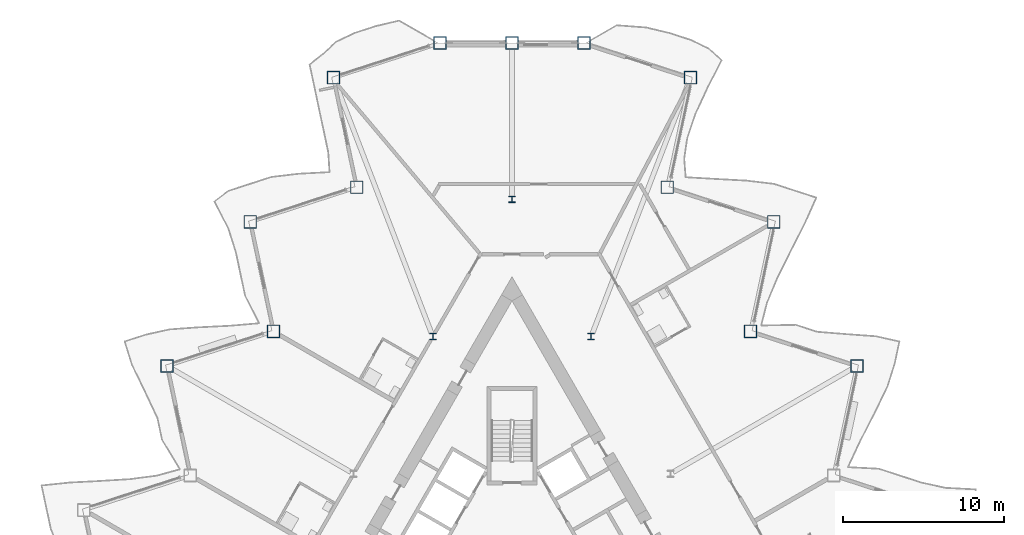
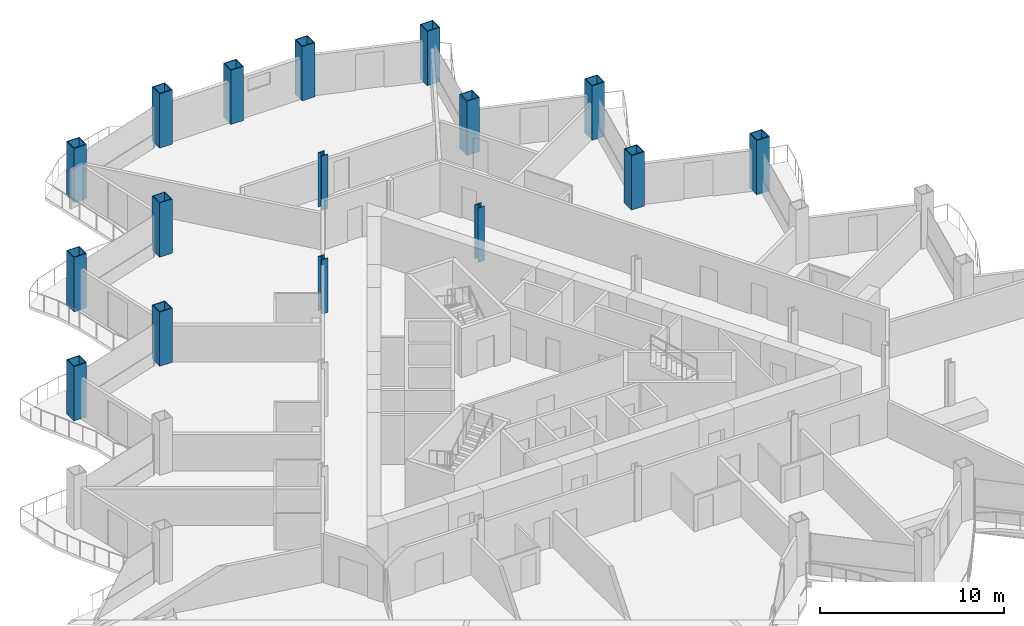
# One storey, part 2 of 23: 16 columns.
"""IFC4 building model written with IfcOpenShell, lengths in metres."""

from ifc_helpers import new_model, si_unit, direction, frame, origin, origin_2d, place, context, subcontext, project, spatial, hollow_rectangle, i_section, extrude, material, material_profile, profile_set, type_object, element, save


model = new_model("IFC4")

# Units and contexts
model_context = context("Model", 3, precision=1e-05, world=origin(), true_north=direction((0.0, 1.0)))
body_context = subcontext(model_context, "Body", "Model", "MODEL_VIEW")
ifc_project = project(units=[si_unit("LENGTHUNIT", "METRE"), si_unit("AREAUNIT", "SQUARE_METRE"), si_unit("VOLUMEUNIT", "CUBIC_METRE"), si_unit("PLANEANGLEUNIT", "RADIAN"), si_unit("MASSUNIT", "GRAM", prefix="KILO")], contexts=[model_context])

# Site, building, storey
site_placement = place(None, origin())
site = spatial("IfcSite", under=ifc_project, at=site_placement, CompositionType="ELEMENT")
building_placement = place(site_placement, origin())
building = spatial("IfcBuilding", under=site, at=building_placement, Name="Cormorant Prow Tower", CompositionType="ELEMENT")
storey_placement = place(building_placement, frame((0.0, 0.0, 208.800048828125)))
storey = spatial("IfcBuildingStorey", under=building, at=storey_placement, Name="L46", CompositionType="ELEMENT", Elevation=208.800048828125)

# Columns
ifc_material_1 = material(Name="Structural steel ASTM A572 Gr 50", Category="steel")
ifc_material_profile_1 = material_profile(ifc_material_1, hollow_rectangle(XDim=0.800048828125, YDim=0.800048828125, WallThickness=0.050048828125, at=origin_2d()), Name="Box 800x800x50")
ifc_profile_set_1 = profile_set([ifc_material_profile_1], Name="Structural steel ASTM A572 Gr 50")
column_type_1 = type_object("IfcColumnType", Name="Perimeter box column 800x800x50", PredefinedType="COLUMN", material=ifc_profile_set_1)
for number, where, z_axis, x_axis, name in (
    (1, (21.409423828125, 12.36083984375, 0.0), (0.0, 0.0, 1.0), (1.0, 0.0, 0.0), "Perimeter column C4 at ENE05 L46"),
    (2, (14.7998046875, 14.50830078125, 0.0), (0.0, 0.0, 1.0), (1.0, 0.0, 0.0), "Perimeter column C4 at ENE06 L46"),
    (3, (16.244873046875, 21.306396484375, 0.0), (0.0, 0.0, 1.0), (1.0, 0.0, 0.0), "Perimeter column C4 at ENE07 L46"),
    (4, (9.63525390625, 23.453857421875, 0.0), (0.0, 0.0, 1.0), (1.0, 0.0, 0.0), "Perimeter column C4 at ENE08 L46"),
    (5, (11.080078125, 30.251953125, 0.0), (0.0, 0.0, 1.0), (1.0, 0.0, 0.0), "Perimeter column C4 at ENE09 L46"),
    (6, (4.470458984375, 32.3994140625, 0.0), (0.0, 0.0, 1.0), (1.0, 0.0, 0.0), "Perimeter column C4 at N00 L46"),
    (7, (0.0, 32.3994140625, 0.0), (0.0, 0.0, 1.0), (1.0, 0.0, 0.0), "Perimeter column C4 at N01 L46"),
    (8, (-4.470458984375, 32.3994140625, 0.0), (0.0, 0.0, 1.0), (1.0, 0.0, 0.0), "Perimeter column C4 at WNW00 L46"),
    (9, (-11.080078125, 30.251953125, 0.0), (0.0, 0.0, 1.0), (1.0, 0.0, 0.0), "Perimeter column C4 at WNW01 L46"),
    (10, (-9.63525390625, 23.453857421875, 0.0), (0.0, 0.0, 1.0), (1.0, 0.0, 0.0), "Perimeter column C4 at WNW02 L46"),
    (11, (-16.244873046875, 21.306396484375, 0.0), (0.0, 0.0, 1.0), (1.0, 0.0, 0.0), "Perimeter column C4 at WNW03 L46"),
    (12, (-14.7998046875, 14.50830078125, 0.0), (0.0, 0.0, 1.0), (1.0, 0.0, 0.0), "Perimeter column C4 at WNW04 L46"),
    (13, (-21.409423828125, 12.36083984375, 0.0), (0.0, 0.0, 1.0), (1.0, 0.0, 0.0), "Perimeter column C4 at WNW05 L46"),
):
    element("IfcColumn", number, at=place(storey_placement, frame(where, z_axis=z_axis, x_axis=x_axis)), inside=storey, type_object=column_type_1, Name=name, PredefinedType="COLUMN", context=body_context, shape_type="SweptSolid", body=[
        extrude(hollow_rectangle(XDim=0.800048828125, YDim=0.800048828125, WallThickness=0.050048828125, at=origin_2d()), origin(), (0.0, 0.0, 1.0), 3.599853515625),
    ])
ifc_material_2 = material(Name="Structural steel ASTM A992 Gr 50", Category="steel")
ifc_material_profile_2 = material_profile(ifc_material_2, i_section(OverallWidth=0.403564453125, OverallDepth=0.407470703125, WebThickness=0.027099609375, FlangeThickness=0.043701171875, at=origin_2d()), Name="W14x233")
ifc_profile_set_2 = profile_set([ifc_material_profile_2], Name="Structural steel ASTM A992 Gr 50")
column_type_2 = type_object("IfcColumnType", Name="Ring column W14x233", PredefinedType="COLUMN", material=ifc_profile_set_2)
for number, where, z_axis, x_axis, name in (
    (14, (0.0, 22.69775390625, 0.0), (0.0, 0.0, 1.0), (1.0, 0.0, 0.0), "Ring column 1 L46"),
    (15, (-4.914306640625, 14.186279296875, 0.0), (0.0, 0.0, 1.0), (1.0, 0.0, 0.0), "Ring column 2 L46"),
    (16, (4.914306640625, 14.186279296875, 0.0), (0.0, 0.0, 1.0), (1.0, 0.0, 0.0), "Ring column 12 L46"),
):
    element("IfcColumn", number, at=place(storey_placement, frame(where, z_axis=z_axis, x_axis=x_axis)), inside=storey, type_object=column_type_2, Name=name, PredefinedType="COLUMN", context=body_context, shape_type="SweptSolid", body=[
        extrude(i_section(OverallWidth=0.403564453125, OverallDepth=0.407470703125, WebThickness=0.027099609375, FlangeThickness=0.043701171875, at=origin_2d()), origin(), (0.0, 0.0, 1.0), 3.599853515625),
    ])

save(model, "model.ifc")
